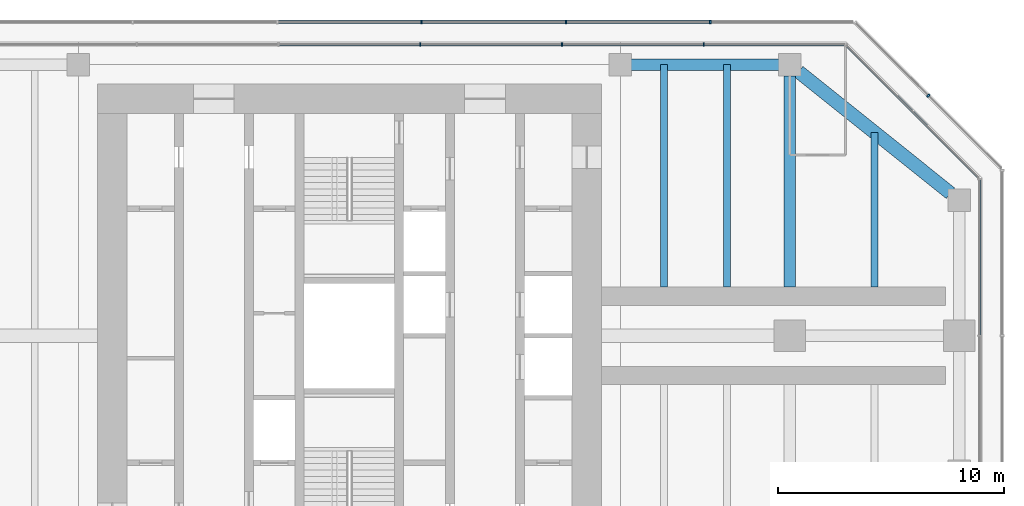
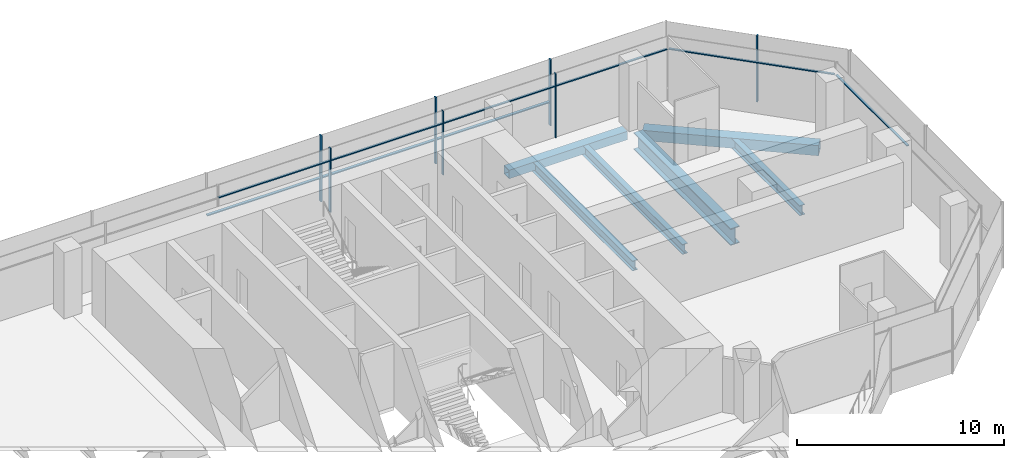
# One storey, part 7 of 15: 16 members, 6 beams, 5 elements without a shape of their own.
"""IFC4 building model written with IfcOpenShell, lengths in metres."""

from ifc_helpers import new_model, si_unit, direction, frame, origin, origin_2d, place, context, subcontext, project, spatial, rectangle, hollow_rectangle, i_section, extrude, material, material_profile, profile_set, type_object, element, aggregate, save


model = new_model("IFC4")

# Units and contexts
model_context = context("Model", 3, precision=1e-05, world=origin(), true_north=direction((0.0, 1.0)))
body_context = subcontext(model_context, "Body", "Model", "MODEL_VIEW")
ifc_project = project(units=[si_unit("LENGTHUNIT", "METRE"), si_unit("AREAUNIT", "SQUARE_METRE"), si_unit("VOLUMEUNIT", "CUBIC_METRE"), si_unit("PLANEANGLEUNIT", "RADIAN"), si_unit("MASSUNIT", "GRAM", prefix="KILO")], contexts=[model_context])

# Site, building, storey
site_placement = place(None, origin())
site = spatial("IfcSite", under=ifc_project, at=site_placement, CompositionType="ELEMENT")
building_placement = place(site_placement, origin())
building = spatial("IfcBuilding", under=site, at=building_placement, Name="Mizan Broadcast Tower", CompositionType="ELEMENT")
storey_placement = place(building_placement, frame((0.0, 0.0, 279.0)))
storey = spatial("IfcBuildingStorey", under=building, at=storey_placement, Name="L66", CompositionType="ELEMENT", Elevation=279.0)

# Beams
ifc_material_1 = material(Name="Steel S355", Category="steel")
ifc_material_profile_1 = material_profile(ifc_material_1, hollow_rectangle(XDim=0.5, YDim=0.5, WallThickness=0.030029296875, at=origin_2d()), Name="BOX 500x500x30")
ifc_profile_set_1 = profile_set([ifc_material_profile_1], Name="Steel S355")
beam_type_1 = type_object("IfcBeamType", Name="EDGE BEAM BOX 500x500x30", PredefinedType="SPANDREL", material=ifc_profile_set_1)
beam_1_placement = place(storey_placement, frame((12.449951171875, 12.0, -0.3798828125), z_axis=(1.0, 0.0, 0.0), x_axis=(0.0, 1.0, 0.0)))
element("IfcBeam", 1, at=beam_1_placement, inside=storey, type_object=beam_type_1, Name="Edge beam BOX 500x500x30 L66 east arm", PredefinedType="SPANDREL", context=body_context, shape_type="SweptSolid", body=[
    extrude(hollow_rectangle(XDim=0.5, YDim=0.5, WallThickness=0.030029296875, at=origin_2d()), origin(), (0.0, 0.0, 1.0), 6.60009765625),
])
ifc_material_2 = material(Name="Steel S355", Category="steel")
ifc_material_profile_2 = material_profile(ifc_material_2, hollow_rectangle(XDim=0.60009765625, YDim=0.60009765625, WallThickness=0.030029296875, at=origin_2d()), Name="BOX 600x600x30")
ifc_profile_set_2 = profile_set([ifc_material_profile_2], Name="Steel S355")
beam_type_2 = type_object("IfcBeamType", Name="EDGE BEAM BOX 600x600x30", PredefinedType="SPANDREL", material=ifc_profile_set_2)
beam_2_placement = place(storey_placement, frame((19.890380859375, 11.687744140625, -0.429931640625), z_axis=(0.780863273348, -0.62470196761, 0.0), x_axis=(0.62470196761, 0.780863273348, 0.0)))
element("IfcBeam", 2, at=beam_2_placement, inside=storey, type_object=beam_type_2, Name="Edge beam BOX 600x600x30 L66 east arm", PredefinedType="SPANDREL", context=body_context, shape_type="SweptSolid", body=[
    extrude(hollow_rectangle(XDim=0.60009765625, YDim=0.60009765625, WallThickness=0.030029296875, at=origin_2d()), origin(), (0.0, 0.0, 1.0), 8.60498046875),
])
ifc_material_3 = material(Name="Steel S460", Category="steel")
ifc_material_profile_3 = material_profile(ifc_material_3, i_section(OverallWidth=0.5, OverallDepth=1.0, WebThickness=0.02490234375, FlangeThickness=0.050048828125, at=origin_2d()), Name="WPG 1000x500")
ifc_profile_set_3 = profile_set([ifc_material_profile_3], Name="Steel S460")
beam_type_3 = type_object("IfcBeamType", Name="GIRDER WPG 1000x500", PredefinedType="BEAM", material=ifc_profile_set_3)
beam_3_placement = place(storey_placement, frame((19.5, 11.5, -0.6298828125), z_axis=(0.0, -1.0, 0.0), x_axis=(1.0, 0.0, 0.0)))
element("IfcBeam", 3, at=beam_3_placement, inside=storey, type_object=beam_type_3, Name="Girder WPG 1000x500 L66 east arm", PredefinedType="BEAM", context=body_context, shape_type="SweptSolid", body=[
    extrude(i_section(OverallWidth=0.5, OverallDepth=1.0, WebThickness=0.02490234375, FlangeThickness=0.050048828125, at=origin_2d()), origin(), (0.0, 0.0, 1.0), 9.35009765625),
])

# Curtain wall, members
ifc_material_4 = material(Name="Aluminium framed glazing", Category="aluminium")
curtain_wall_type_1 = type_object("IfcCurtainWallType", Name="INNER SKIN TOP ZONE", PredefinedType="USERDEFINED", material=ifc_material_4)
curtain_wall_1_placement = place(storey_placement, origin())
curtain_wall_1 = element("IfcCurtainWall", 4, at=curtain_wall_1_placement, inside=storey, type_object=curtain_wall_type_1, Name="Inner skin top zone L66 N end", ObjectType="INNER SKIN TOP ZONE", PredefinedType="USERDEFINED")
ifc_material_5 = material(Name="Aluminium, pale anodised", Category="aluminium")
ifc_material_profile_4 = material_profile(ifc_material_5, rectangle(XDim=0.159912109375, YDim=0.06005859375, at=origin_2d()), Name="MULLION 160x60")
ifc_profile_set_4 = profile_set([ifc_material_profile_4], Name="Aluminium, pale anodised")
member_type_1 = type_object("IfcMemberType", Name="INNER SKIN MULLION 60x160", PredefinedType="MULLION", material=ifc_profile_set_4)
member_1_placement = place(storey_placement, frame((15.684814453125, 12.89990234375, 0.0), z_axis=(0.0, 0.0, 1.0), x_axis=(0.0, -1.0, 0.0)))
member_1 = element("IfcMember", 5, at=member_1_placement, type_object=member_type_1, Name="Inner skin top zone L66 N end mullion 2", PredefinedType="MULLION", context=body_context, shape_type="SweptSolid", body=[
    extrude(rectangle(XDim=0.159912109375, YDim=0.06005859375, at=origin_2d()), origin(), (0.0, 0.0, 1.0), 3.77001953125),
])
member_2_placement = place(storey_placement, frame((9.410888671875, 12.89990234375, 0.0), z_axis=(0.0, 0.0, 1.0), x_axis=(0.0, -1.0, 0.0)))
member_2 = element("IfcMember", 6, at=member_2_placement, type_object=member_type_1, Name="Inner skin top zone L66 N end mullion 3", PredefinedType="MULLION", context=body_context, shape_type="SweptSolid", body=[
    extrude(rectangle(XDim=0.159912109375, YDim=0.06005859375, at=origin_2d()), origin(), (0.0, 0.0, 1.0), 3.77001953125),
])
member_3_placement = place(storey_placement, frame((3.136962890625, 12.89990234375, 0.0), z_axis=(0.0, 0.0, 1.0), x_axis=(0.0, -1.0, 0.0)))
member_3 = element("IfcMember", 7, at=member_3_placement, type_object=member_type_1, Name="Inner skin top zone L66 N end mullion 4", PredefinedType="MULLION", context=body_context, shape_type="SweptSolid", body=[
    extrude(rectangle(XDim=0.159912109375, YDim=0.06005859375, at=origin_2d()), origin(), (0.0, 0.0, 1.0), 3.77001953125),
])

# Curtain wall, member
curtain_wall_2_placement = place(storey_placement, origin())
curtain_wall_2 = element("IfcCurtainWall", 8, at=curtain_wall_2_placement, inside=storey, type_object=curtain_wall_type_1, Name="Inner skin top zone L66 E end", ObjectType="INNER SKIN TOP ZONE", PredefinedType="USERDEFINED")
ifc_material_6 = material(Name="Aluminium, pale anodised", Category="aluminium")
ifc_material_profile_5 = material_profile(ifc_material_6, rectangle(XDim=0.1201171875, YDim=0.06005859375, at=origin_2d()), Name="TRANSOM 120x60")
ifc_profile_set_5 = profile_set([ifc_material_profile_5], Name="Aluminium, pale anodised")
member_type_2 = type_object("IfcMemberType", Name="INNER SKIN TRANSOM 60x120", PredefinedType="USERDEFINED", material=ifc_profile_set_5)
member_4_placement = place(storey_placement, frame((27.89990234375, 0.030029296875, 3.030029296875), z_axis=(0.0, 1.0, 0.0), x_axis=(-1.0, 0.0, 0.0)))
member_4 = element("IfcMember", 9, at=member_4_placement, type_object=member_type_2, Name="Inner skin top zone L66 E end transom 2.1", ObjectType="TRANSOM", PredefinedType="USERDEFINED", context=body_context, shape_type="SweptSolid", body=[
    extrude(rectangle(XDim=0.1201171875, YDim=0.06005859375, at=origin_2d()), origin(), (0.0, 0.0, 1.0), 6.86865234375),
])
aggregate(curtain_wall_2, [member_4])

curtain_wall_3_placement = place(storey_placement, origin())
curtain_wall_3 = element("IfcCurtainWall", 10, at=curtain_wall_3_placement, inside=storey, type_object=curtain_wall_type_1, Name="Inner skin top zone L66 E chamfer", ObjectType="INNER SKIN TOP ZONE", PredefinedType="USERDEFINED")
member_5_placement = place(storey_placement, frame((27.857666015625, 7.0009765625, 3.030029296875), z_axis=(-0.707106781187, 0.707106781187, 0.0), x_axis=(-0.707106781187, -0.707106781187, 0.0)))
member_5 = element("IfcMember", 11, at=member_5_placement, type_object=member_type_2, Name="Inner skin top zone L66 E chamfer transom 1.1", ObjectType="TRANSOM", PredefinedType="USERDEFINED", context=body_context, shape_type="SweptSolid", body=[
    extrude(rectangle(XDim=0.1201171875, YDim=0.06005859375, at=origin_2d()), origin(), (0.0, 0.0, 1.0), 8.28271484375),
])
aggregate(curtain_wall_3, [member_5])

# Member
member_6_placement = place(storey_placement, frame((21.898681640625, 12.89990234375, 3.030029296875), z_axis=(-1.0, 0.0, 0.0), x_axis=(0.0, -1.0, 0.0)))
member_6 = element("IfcMember", 12, at=member_6_placement, type_object=member_type_2, Name="Inner skin top zone L66 N end transom 1.1", ObjectType="TRANSOM", PredefinedType="USERDEFINED", context=body_context, shape_type="SweptSolid", body=[
    extrude(rectangle(XDim=0.1201171875, YDim=0.06005859375, at=origin_2d()), origin(), (0.0, 0.0, 1.0), 6.18408203125),
])

member_7_placement = place(storey_placement, frame((15.65478515625, 12.89990234375, 3.030029296875), z_axis=(-1.0, 0.0, 0.0), x_axis=(0.0, -1.0, 0.0)))
member_7 = element("IfcMember", 13, at=member_7_placement, type_object=member_type_2, Name="Inner skin top zone L66 N end transom 2.1", ObjectType="TRANSOM", PredefinedType="USERDEFINED", context=body_context, shape_type="SweptSolid", body=[
    extrude(rectangle(XDim=0.1201171875, YDim=0.06005859375, at=origin_2d()), origin(), (0.0, 0.0, 1.0), 6.2138671875),
])

member_8_placement = place(storey_placement, frame((9.380859375, 12.89990234375, 3.030029296875), z_axis=(-1.0, 0.0, 0.0), x_axis=(0.0, -1.0, 0.0)))
member_8 = element("IfcMember", 14, at=member_8_placement, type_object=member_type_2, Name="Inner skin top zone L66 N end transom 3.1", ObjectType="TRANSOM", PredefinedType="USERDEFINED", context=body_context, shape_type="SweptSolid", body=[
    extrude(rectangle(XDim=0.1201171875, YDim=0.06005859375, at=origin_2d()), origin(), (0.0, 0.0, 1.0), 6.2138671875),
])

member_9_placement = place(storey_placement, frame((3.10693359375, 12.89990234375, 3.030029296875), z_axis=(-1.0, 0.0, 0.0), x_axis=(0.0, -1.0, 0.0)))
member_9 = element("IfcMember", 15, at=member_9_placement, type_object=member_type_2, Name="Inner skin top zone L66 N end transom 4.1", ObjectType="TRANSOM", PredefinedType="USERDEFINED", context=body_context, shape_type="SweptSolid", body=[
    extrude(rectangle(XDim=0.1201171875, YDim=0.06005859375, at=origin_2d()), origin(), (0.0, 0.0, 1.0), 6.2138671875),
])

aggregate(curtain_wall_1, [member_1, member_2, member_3, member_6, member_7, member_8, member_9])

# Curtain wall, member
ifc_material_7 = material(Name="Aluminium framed glazing", Category="aluminium")
curtain_wall_type_2 = type_object("IfcCurtainWallType", Name="OUTER SKIN", PredefinedType="USERDEFINED", material=ifc_material_7)
curtain_wall_4_placement = place(storey_placement, origin())
curtain_wall_4 = element("IfcCurtainWall", 16, at=curtain_wall_4_placement, inside=storey, type_object=curtain_wall_type_2, Name="Outer skin L66 E chamfer", ObjectType="OUTER SKIN", PredefinedType="USERDEFINED")
ifc_material_8 = material(Name="Aluminium, pale anodised", Category="aluminium")
ifc_material_profile_6 = material_profile(ifc_material_8, rectangle(XDim=0.159912109375, YDim=0.080078125, at=origin_2d()), Name="MULLION 160x80")
ifc_profile_set_6 = profile_set([ifc_material_profile_6], Name="Aluminium, pale anodised")
member_type_3 = type_object("IfcMemberType", Name="OUTER SKIN MULLION 80x160", PredefinedType="MULLION", material=ifc_profile_set_6)
member_10_placement = place(storey_placement, frame((25.636474609375, 10.636474609375, 0.0), z_axis=(0.0, 0.0, 1.0), x_axis=(-0.707106781187, -0.707106781187, 0.0)))
member_10 = element("IfcMember", 17, at=member_10_placement, type_object=member_type_3, Name="Outer skin L66 E chamfer mullion 2", PredefinedType="MULLION", context=body_context, shape_type="SweptSolid", body=[
    extrude(rectangle(XDim=0.159912109375, YDim=0.080078125, at=origin_2d()), origin(), (0.0, 0.0, 1.0), 3.89990234375),
])
aggregate(curtain_wall_4, [member_10])

# Curtain wall, members
curtain_wall_5_placement = place(storey_placement, origin())
curtain_wall_5 = element("IfcCurtainWall", 18, at=curtain_wall_5_placement, inside=storey, type_object=curtain_wall_type_2, Name="Outer skin L66 N end", ObjectType="OUTER SKIN", PredefinedType="USERDEFINED")
member_11_placement = place(storey_placement, frame((15.98046875, 13.89990234375, 0.0), z_axis=(0.0, 0.0, 1.0), x_axis=(0.0, -1.0, 0.0)))
member_11 = element("IfcMember", 19, at=member_11_placement, type_object=member_type_3, Name="Outer skin L66 N end mullion 2", PredefinedType="MULLION", context=body_context, shape_type="SweptSolid", body=[
    extrude(rectangle(XDim=0.159912109375, YDim=0.080078125, at=origin_2d()), origin(), (0.0, 0.0, 1.0), 3.89990234375),
])
member_12_placement = place(storey_placement, frame((9.58837890625, 13.89990234375, 0.0), z_axis=(0.0, 0.0, 1.0), x_axis=(0.0, -1.0, 0.0)))
member_12 = element("IfcMember", 20, at=member_12_placement, type_object=member_type_3, Name="Outer skin L66 N end mullion 3", PredefinedType="MULLION", context=body_context, shape_type="SweptSolid", body=[
    extrude(rectangle(XDim=0.159912109375, YDim=0.080078125, at=origin_2d()), origin(), (0.0, 0.0, 1.0), 3.89990234375),
])
member_13_placement = place(storey_placement, frame((3.196044921875, 13.89990234375, 0.0), z_axis=(0.0, 0.0, 1.0), x_axis=(0.0, -1.0, 0.0)))
member_13 = element("IfcMember", 21, at=member_13_placement, type_object=member_type_3, Name="Outer skin L66 N end mullion 4", PredefinedType="MULLION", context=body_context, shape_type="SweptSolid", body=[
    extrude(rectangle(XDim=0.159912109375, YDim=0.080078125, at=origin_2d()), origin(), (0.0, 0.0, 1.0), 3.89990234375),
])
ifc_material_9 = material(Name="Aluminium, pale anodised", Category="aluminium")
ifc_material_profile_7 = material_profile(ifc_material_9, rectangle(XDim=0.159912109375, YDim=0.06005859375, at=origin_2d()), Name="TRANSOM 160x60")
ifc_profile_set_7 = profile_set([ifc_material_profile_7], Name="Aluminium, pale anodised")
member_type_4 = type_object("IfcMemberType", Name="OUTER SKIN TRANSOM 60x160", PredefinedType="USERDEFINED", material=ifc_profile_set_7)
member_14_placement = place(storey_placement, frame((15.940673828125, 13.89990234375, 1.39990234375), z_axis=(-1.0, 0.0, 0.0), x_axis=(0.0, -1.0, 0.0)))
member_14 = element("IfcMember", 22, at=member_14_placement, type_object=member_type_4, Name="Outer skin L66 N end transom 2.1", ObjectType="TRANSOM", PredefinedType="USERDEFINED", context=body_context, shape_type="SweptSolid", body=[
    extrude(rectangle(XDim=0.159912109375, YDim=0.06005859375, at=origin_2d()), origin(), (0.0, 0.0, 1.0), 6.312255859375),
])
member_15_placement = place(storey_placement, frame((9.54833984375, 13.89990234375, 1.39990234375), z_axis=(-1.0, 0.0, 0.0), x_axis=(0.0, -1.0, 0.0)))
member_15 = element("IfcMember", 23, at=member_15_placement, type_object=member_type_4, Name="Outer skin L66 N end transom 3.1", ObjectType="TRANSOM", PredefinedType="USERDEFINED", context=body_context, shape_type="SweptSolid", body=[
    extrude(rectangle(XDim=0.159912109375, YDim=0.06005859375, at=origin_2d()), origin(), (0.0, 0.0, 1.0), 6.312255859375),
])
member_16_placement = place(storey_placement, frame((3.156005859375, 13.89990234375, 1.39990234375), z_axis=(-1.0, 0.0, 0.0), x_axis=(0.0, -1.0, 0.0)))
member_16 = element("IfcMember", 24, at=member_16_placement, type_object=member_type_4, Name="Outer skin L66 N end transom 4.1", ObjectType="TRANSOM", PredefinedType="USERDEFINED", context=body_context, shape_type="SweptSolid", body=[
    extrude(rectangle(XDim=0.159912109375, YDim=0.06005859375, at=origin_2d()), origin(), (0.0, 0.0, 1.0), 6.31201171875),
])
aggregate(curtain_wall_5, [member_11, member_12, member_13, member_14, member_15, member_16])

# Beams
ifc_material_10 = material(Name="Steel S355", Category="steel")
ifc_material_profile_8 = material_profile(ifc_material_10, i_section(OverallWidth=0.300048828125, OverallDepth=0.590087890625, WebThickness=0.012939453125, FlangeThickness=0.02490234375, FilletRadius=0.027099609375, at=origin_2d()), Name="HEA 600")
ifc_profile_set_8 = profile_set([ifc_material_profile_8], Name="Steel S355")
beam_type_4 = type_object("IfcBeamType", Name="SECONDARY BEAM HEA 600", PredefinedType="JOIST", material=ifc_profile_set_8)
for number, where, z_axis, x_axis, name in (
    (25, (13.933349609375, 12.0, -0.425048828125), (0.0, -1.0, 0.0), (1.0, 0.0, 0.0), "Secondary beam HEA 600 L66 east arm"),
    (26, (16.716552734375, 12.0, -0.425048828125), (0.0, -1.0, 0.0), (1.0, 0.0, 0.0), "Secondary beam HEA 600 L66 east arm"),
):
    element("IfcBeam", number, at=place(storey_placement, frame(where, z_axis=z_axis, x_axis=x_axis)), inside=storey, type_object=beam_type_4, Name=name, PredefinedType="JOIST", context=body_context, shape_type="SweptSolid", body=[
        extrude(i_section(OverallWidth=0.300048828125, OverallDepth=0.590087890625, WebThickness=0.012939453125, FlangeThickness=0.02490234375, FilletRadius=0.027099609375, at=origin_2d()), origin(), (0.0, 0.0, 1.0), 9.85009765625),
    ])
beam_4_placement = place(storey_placement, frame((23.25, 9.0, -0.425048828125), z_axis=(0.0, -1.0, 0.0), x_axis=(1.0, 0.0, 0.0)))
element("IfcBeam", 27, at=beam_4_placement, inside=storey, type_object=beam_type_4, Name="Secondary beam HEA 600 L66 east arm", PredefinedType="JOIST", context=body_context, shape_type="SweptSolid", body=[
    extrude(i_section(OverallWidth=0.300048828125, OverallDepth=0.590087890625, WebThickness=0.012939453125, FlangeThickness=0.02490234375, FilletRadius=0.027099609375, at=origin_2d()), origin(), (0.0, 0.0, 1.0), 6.85009765625),
])

save(model, "model.ifc")
